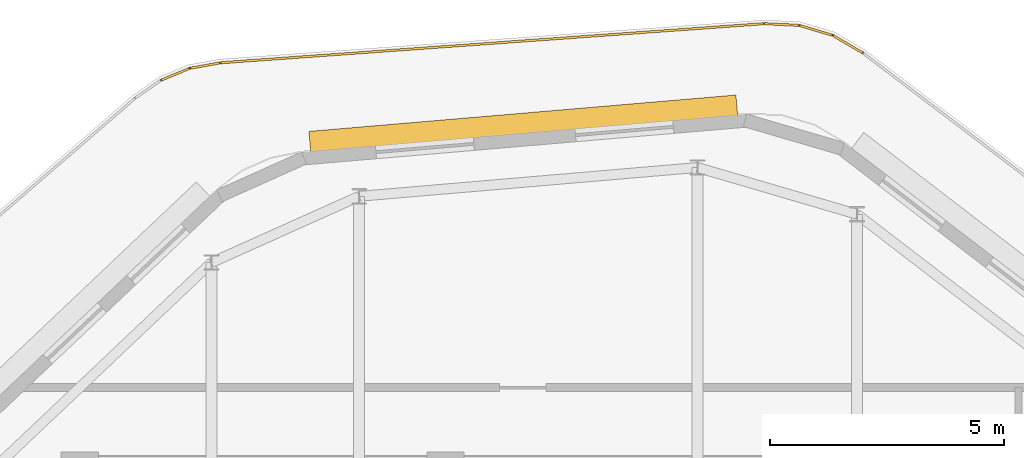
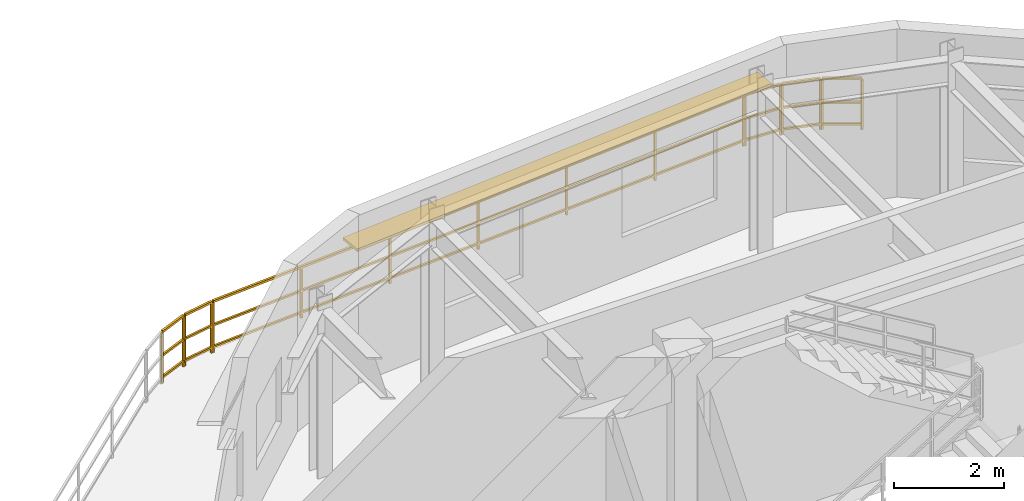
# One storey, part 7 of 7: 6 railings, 1 shading device.
"""IFC4 building model written with IfcOpenShell, lengths in metres."""

from ifc_helpers import new_model, si_unit, direction, frame, origin, origin_2d, place, context, subcontext, project, spatial, rectangle, extrude, material, layer, layer_set, type_object, element, save


model = new_model("IFC4")

# Units and contexts
model_context = context("Model", 3, precision=1e-05, world=origin(), true_north=direction((0.0, 1.0)))
body_context = subcontext(model_context, "Body", "Model", "MODEL_VIEW")
ifc_project = project(units=[si_unit("LENGTHUNIT", "METRE"), si_unit("AREAUNIT", "SQUARE_METRE"), si_unit("VOLUMEUNIT", "CUBIC_METRE"), si_unit("PLANEANGLEUNIT", "RADIAN"), si_unit("MASSUNIT", "GRAM", prefix="KILO")], contexts=[model_context])

# Site, building, storey
site_placement = place(None, origin())
site = spatial("IfcSite", under=ifc_project, at=site_placement, CompositionType="ELEMENT")
building_placement = place(site_placement, origin())
building = spatial("IfcBuilding", under=site, at=building_placement, Name="Zulverin Broadcast Headquarters", CompositionType="ELEMENT")
storey_placement = place(building_placement, frame((0.0, 0.0, 329.39990234375)))
storey = spatial("IfcBuildingStorey", under=building, at=storey_placement, Name="C5", CompositionType="ELEMENT", Elevation=329.39990234375)

# Railings
ifc_material_1 = material(Name="Brushed stainless steel & laminated glass balustrade", Category="steel")
railing_type = type_object("IfcRailingType", Name="RL-GUARD-1150", PredefinedType="GUARDRAIL", material=ifc_material_1)
railing_1_placement = place(storey_placement, frame((32.377685546875, 41.42919921875, 0.0)))
element("IfcRailing", 1, at=railing_1_placement, inside=storey, type_object=railing_type, Name="C5 Stepped Crown Terrace Perimeter Balustrade Segment 11", PredefinedType="GUARDRAIL", context=body_context, shape_type="SweptSolid", body=[
    extrude(rectangle(XDim=0.048095703125, YDim=0.048095703125, at=origin_2d()), frame((0.0, 0.0, 1.1259765625), z_axis=(0.92404023473, 0.382295232248, 0.0), x_axis=(-0.382295232248, 0.92404023473, 0.0)), (0.0, 0.0, 1.0), 0.635498046875),
    extrude(rectangle(XDim=0.0419921875, YDim=0.0419921875, at=origin_2d()), frame((0.0, 0.0, 0.597900390625), z_axis=(0.92404023473, 0.382295232248, 0.0), x_axis=(-0.382295232248, 0.92404023473, 0.0)), (0.0, 0.0, 1.0), 0.635498046875),
    extrude(rectangle(XDim=0.0419921875, YDim=0.0419921875, at=origin_2d()), frame((0.0, 0.0, 0.1201171875), z_axis=(0.92404023473, 0.382295232248, 0.0), x_axis=(-0.382295232248, 0.92404023473, 0.0)), (0.0, 0.0, 1.0), 0.635498046875),
    extrude(rectangle(XDim=0.0419921875, YDim=0.0419921875, at=origin_2d()), origin(), (0.0, 0.0, 1.0), 1.101806640625),
    extrude(rectangle(XDim=0.0419921875, YDim=0.0419921875, at=origin_2d()), frame((0.587158203125, 0.242919921875, 0.0)), (0.0, 0.0, 1.0), 1.101806640625),
])
railing_2_placement = place(storey_placement, frame((32.993408203125, 41.680419921875, 0.0)))
element("IfcRailing", 2, at=railing_2_placement, inside=storey, type_object=railing_type, Name="C5 Stepped Crown Terrace Perimeter Balustrade Segment 12", PredefinedType="GUARDRAIL", context=body_context, shape_type="SweptSolid", body=[
    extrude(rectangle(XDim=0.048095703125, YDim=0.048095703125, at=origin_2d()), frame((0.0, 0.0, 1.1259765625), z_axis=(0.984052615616, 0.177877625631, 0.0), x_axis=(-0.177877625631, 0.984052615616, 0.0)), (0.0, 0.0, 1.0), 0.6396484375),
    extrude(rectangle(XDim=0.0419921875, YDim=0.0419921875, at=origin_2d()), frame((0.0, 0.0, 0.597900390625), z_axis=(0.984052615616, 0.177877625631, 0.0), x_axis=(-0.177877625631, 0.984052615616, 0.0)), (0.0, 0.0, 1.0), 0.6396484375),
    extrude(rectangle(XDim=0.0419921875, YDim=0.0419921875, at=origin_2d()), frame((0.0, 0.0, 0.1201171875), z_axis=(0.984052615616, 0.177877625631, 0.0), x_axis=(-0.177877625631, 0.984052615616, 0.0)), (0.0, 0.0, 1.0), 0.6396484375),
    extrude(rectangle(XDim=0.0419921875, YDim=0.0419921875, at=origin_2d()), origin(), (0.0, 0.0, 1.0), 1.101806640625),
    extrude(rectangle(XDim=0.0419921875, YDim=0.0419921875, at=origin_2d()), frame((0.62939453125, 0.11376953125, 0.0)), (0.0, 0.0, 1.0), 1.101806640625),
])
railing_3_placement = place(storey_placement, frame((33.652587890625, 41.7978515625, 0.0)))
element("IfcRailing", 3, at=railing_3_placement, inside=storey, type_object=railing_type, Name="C5 Stepped Crown Terrace Perimeter Balustrade Segment 13", PredefinedType="GUARDRAIL", context=body_context, shape_type="SweptSolid", body=[
    extrude(rectangle(XDim=0.048095703125, YDim=0.048095703125, at=origin_2d()), frame((0.0, 0.0, 1.1259765625), z_axis=(0.997421571422, 0.071764955666, 0.0), x_axis=(-0.071764955666, 0.997421571422, 0.0)), (0.0, 0.0, 1.0), 11.62451171875),
    extrude(rectangle(XDim=0.0419921875, YDim=0.0419921875, at=origin_2d()), frame((0.0, 0.0, 0.597900390625), z_axis=(0.997421571422, 0.071764955666, 0.0), x_axis=(-0.071764955666, 0.997421571422, 0.0)), (0.0, 0.0, 1.0), 11.62451171875),
    extrude(rectangle(XDim=0.0419921875, YDim=0.0419921875, at=origin_2d()), frame((0.0, 0.0, 0.1201171875), z_axis=(0.997421571422, 0.071764955666, 0.0), x_axis=(-0.071764955666, 0.997421571422, 0.0)), (0.0, 0.0, 1.0), 11.62451171875),
    extrude(rectangle(XDim=0.0419921875, YDim=0.0419921875, at=origin_2d()), origin(), (0.0, 0.0, 1.0), 1.101806640625),
    extrude(rectangle(XDim=0.0419921875, YDim=0.0419921875, at=origin_2d()), frame((1.932373046875, 0.13916015625, 0.0)), (0.0, 0.0, 1.0), 1.101806640625),
    extrude(rectangle(XDim=0.0419921875, YDim=0.0419921875, at=origin_2d()), frame((3.86474609375, 0.278076171875, 0.0)), (0.0, 0.0, 1.0), 1.101806640625),
    extrude(rectangle(XDim=0.0419921875, YDim=0.0419921875, at=origin_2d()), frame((5.79736328125, 0.4169921875, 0.0)), (0.0, 0.0, 1.0), 1.101806640625),
    extrude(rectangle(XDim=0.0419921875, YDim=0.0419921875, at=origin_2d()), frame((7.729736328125, 0.55615234375, 0.0)), (0.0, 0.0, 1.0), 1.101806640625),
    extrude(rectangle(XDim=0.0419921875, YDim=0.0419921875, at=origin_2d()), frame((9.662109375, 0.6953125, 0.0)), (0.0, 0.0, 1.0), 1.101806640625),
    extrude(rectangle(XDim=0.0419921875, YDim=0.0419921875, at=origin_2d()), frame((11.594482421875, 0.834228515625, 0.0)), (0.0, 0.0, 1.0), 1.101806640625),
])
railing_4_placement = place(storey_placement, frame((45.277099609375, 42.632568359375, 0.0)))
element("IfcRailing", 4, at=railing_4_placement, inside=storey, type_object=railing_type, Name="C5 Stepped Crown Terrace Perimeter Balustrade Segment 14", PredefinedType="GUARDRAIL", context=body_context, shape_type="SweptSolid", body=[
    extrude(rectangle(XDim=0.048095703125, YDim=0.048095703125, at=origin_2d()), frame((0.0, 0.0, 1.1259765625), z_axis=(0.99883192221, -0.048319676886, 0.0), x_axis=(0.048319676886, 0.99883192221, 0.0)), (0.0, 0.0, 1.0), 0.722412109375),
    extrude(rectangle(XDim=0.0419921875, YDim=0.0419921875, at=origin_2d()), frame((0.0, 0.0, 0.597900390625), z_axis=(0.99883192221, -0.048319676886, 0.0), x_axis=(0.048319676886, 0.99883192221, 0.0)), (0.0, 0.0, 1.0), 0.722412109375),
    extrude(rectangle(XDim=0.0419921875, YDim=0.0419921875, at=origin_2d()), frame((0.0, 0.0, 0.1201171875), z_axis=(0.99883192221, -0.048319676886, 0.0), x_axis=(0.048319676886, 0.99883192221, 0.0)), (0.0, 0.0, 1.0), 0.722412109375),
    extrude(rectangle(XDim=0.0419921875, YDim=0.0419921875, at=origin_2d()), origin(), (0.0, 0.0, 1.0), 1.101806640625),
    extrude(rectangle(XDim=0.0419921875, YDim=0.0419921875, at=origin_2d()), frame((0.7216796875, -0.034912109375, 0.0)), (0.0, 0.0, 1.0), 1.101806640625),
])
railing_5_placement = place(storey_placement, frame((46.028076171875, 42.5927734375, 0.0)))
element("IfcRailing", 5, at=railing_5_placement, inside=storey, type_object=railing_type, Name="C5 Stepped Crown Terrace Perimeter Balustrade Segment 15", PredefinedType="GUARDRAIL", context=body_context, shape_type="SweptSolid", body=[
    extrude(rectangle(XDim=0.048095703125, YDim=0.048095703125, at=origin_2d()), frame((0.0, 0.0, 1.1259765625), z_axis=(0.95863671796, -0.284632470001, 0.0), x_axis=(0.284632470001, 0.95863671796, 0.0)), (0.0, 0.0, 1.0), 0.718017578125),
    extrude(rectangle(XDim=0.0419921875, YDim=0.0419921875, at=origin_2d()), frame((0.0, 0.0, 0.597900390625), z_axis=(0.95863671796, -0.284632470001, 0.0), x_axis=(0.284632470001, 0.95863671796, 0.0)), (0.0, 0.0, 1.0), 0.718017578125),
    extrude(rectangle(XDim=0.0419921875, YDim=0.0419921875, at=origin_2d()), frame((0.0, 0.0, 0.1201171875), z_axis=(0.95863671796, -0.284632470001, 0.0), x_axis=(0.284632470001, 0.95863671796, 0.0)), (0.0, 0.0, 1.0), 0.718017578125),
    extrude(rectangle(XDim=0.0419921875, YDim=0.0419921875, at=origin_2d()), origin(), (0.0, 0.0, 1.0), 1.101806640625),
    extrude(rectangle(XDim=0.0419921875, YDim=0.0419921875, at=origin_2d()), frame((0.688232421875, -0.204345703125, 0.0)), (0.0, 0.0, 1.0), 1.101806640625),
])
railing_6_placement = place(storey_placement, frame((46.74365234375, 42.376708984375, 0.0)))
element("IfcRailing", 6, at=railing_6_placement, inside=storey, type_object=railing_type, Name="C5 Stepped Crown Terrace Perimeter Balustrade Segment 16", PredefinedType="GUARDRAIL", context=body_context, shape_type="SweptSolid", body=[
    extrude(rectangle(XDim=0.048095703125, YDim=0.048095703125, at=origin_2d()), frame((0.0, 0.0, 1.1259765625), z_axis=(0.863312654394, -0.504669456935, 0.0), x_axis=(0.504669456935, 0.863312654394, 0.0)), (0.0, 0.0, 1.0), 0.72216796875),
    extrude(rectangle(XDim=0.0419921875, YDim=0.0419921875, at=origin_2d()), frame((0.0, 0.0, 0.597900390625), z_axis=(0.863312654394, -0.504669456935, 0.0), x_axis=(0.504669456935, 0.863312654394, 0.0)), (0.0, 0.0, 1.0), 0.72216796875),
    extrude(rectangle(XDim=0.0419921875, YDim=0.0419921875, at=origin_2d()), frame((0.0, 0.0, 0.1201171875), z_axis=(0.863312654394, -0.504669456935, 0.0), x_axis=(0.504669456935, 0.863312654394, 0.0)), (0.0, 0.0, 1.0), 0.72216796875),
    extrude(rectangle(XDim=0.0419921875, YDim=0.0419921875, at=origin_2d()), origin(), (0.0, 0.0, 1.0), 1.101806640625),
    extrude(rectangle(XDim=0.0419921875, YDim=0.0419921875, at=origin_2d()), frame((0.62353515625, -0.364501953125, 0.0)), (0.0, 0.0, 1.0), 1.101806640625),
])

# Shading device
ifc_material_2 = material(Name="Anodized pale-metal aluminium sunshade", Category="aluminium")
ifc_layer = layer(ifc_material_2, 0.06005859375, Name="Anodized pale-metal aluminium sunshade", Category="aluminium")
ifc_layer_set = layer_set([ifc_layer], Name="Anodized pale-metal aluminium sunshade")
shading_device_type = type_object("IfcShadingDeviceType", Name="SS-01_PALE_METAL_ALUMINIUM_SUNSHADE", PredefinedType="USERDEFINED", material=ifc_layer_set)
shading_device_placement = place(storey_placement, frame((40.114501953125, 40.494384765625, 2.7099609375), z_axis=(0.0, 0.0, 1.0), x_axis=(-0.996389439284, -0.084900443359, 0.0)))
element("IfcShadingDevice", 7, at=shading_device_placement, inside=storey, type_object=shading_device_type, Name="C5 Horizontal Pale-Metal Sunshade Band 5", ObjectType="SUNSHADE", PredefinedType="USERDEFINED", context=body_context, shape_type="SweptSolid", body=[
    extrude(rectangle(XDim=9.164306640625, YDim=0.449951171875, at=origin_2d()), origin(), (0.0, 0.0, 1.0), 0.06005859375),
])

save(model, "model.ifc")
